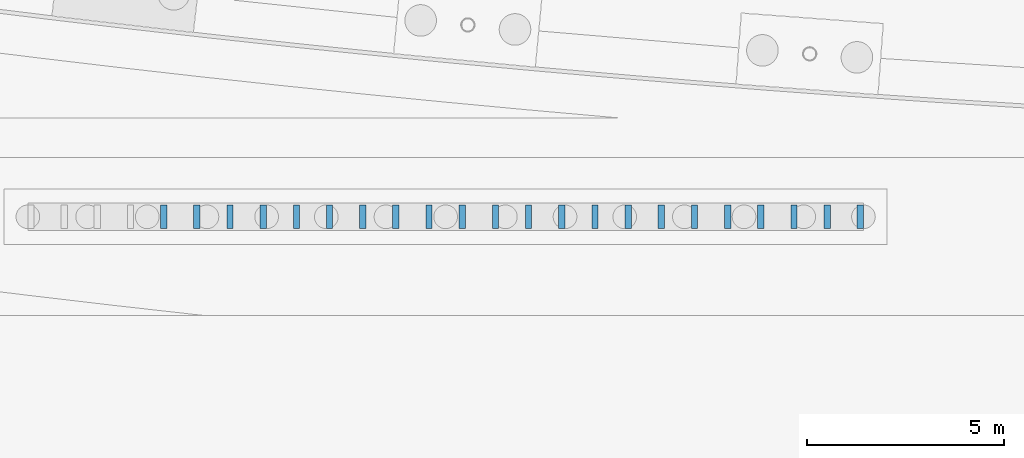
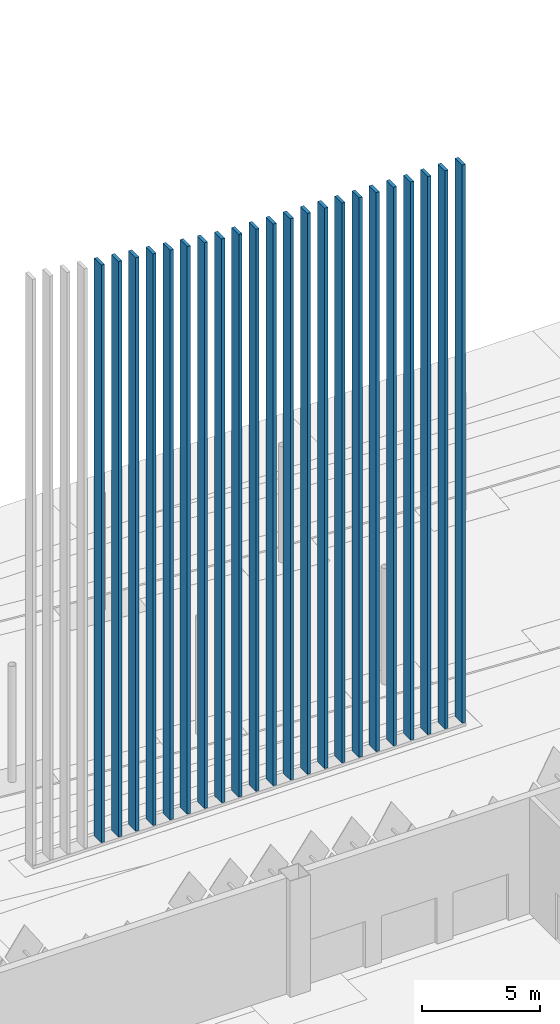
# One storey, part 47 of 198: 22 members.
"""IFC4 building model written with IfcOpenShell, lengths in metres."""

from ifc_helpers import new_model, si_unit, direction, frame, origin, origin_2d, place, context, subcontext, project, spatial, rectangle, extrude, material, material_profile, profile_set, type_object, element, save


model = new_model("IFC4")

# Units and contexts
model_context = context("Model", 3, precision=1e-05, world=origin(), true_north=direction((0.0, 1.0)))
body_context = subcontext(model_context, "Body", "Model", "MODEL_VIEW")
ifc_project = project(units=[si_unit("LENGTHUNIT", "METRE"), si_unit("AREAUNIT", "SQUARE_METRE"), si_unit("VOLUMEUNIT", "CUBIC_METRE"), si_unit("PLANEANGLEUNIT", "RADIAN"), si_unit("MASSUNIT", "GRAM", prefix="KILO")], contexts=[model_context])

# Site, building, storey
site_placement = place(None, origin())
site = spatial("IfcSite", under=ifc_project, at=site_placement, CompositionType="ELEMENT")
building_placement = place(site_placement, origin())
building = spatial("IfcBuilding", under=site, at=building_placement, Name="Opaline Strait Convention Centre", CompositionType="ELEMENT")
storey_placement = place(building_placement, origin())
storey = spatial("IfcBuildingStorey", under=building, at=storey_placement, Name="L00", CompositionType="ELEMENT", Elevation=0.0)

# Members
ifc_material = material(Name="Steel Q355B", Category="steel")
ifc_material_profile = material_profile(ifc_material, rectangle(XDim=0.159912109375, YDim=0.60009765625, at=origin_2d()), Name="BAR 160x600")
ifc_profile_set = profile_set([ifc_material_profile], Name="Steel Q355B")
member_type = type_object("IfcMemberType", Name="Entrance blade 160x600 steel", PredefinedType="USERDEFINED", material=ifc_profile_set)
member_1_placement = place(storey_placement, frame((133.260009765625, 166.5, 0.14990234375), z_axis=(0.0, 0.0, 1.0), x_axis=(1.0, 0.0, 0.0)))
element("IfcMember", 1, at=member_1_placement, inside=storey, type_object=member_type, Name="Entrance blade W05", ObjectType="BLADE", PredefinedType="USERDEFINED", context=body_context, shape_type="SweptSolid", body=[
    extrude(rectangle(XDim=0.159912109375, YDim=0.60009765625, at=origin_2d()), origin(), (0.0, 0.0, 1.0), 29.8564453125),
])
member_2_placement = place(storey_placement, frame((134.10009765625, 166.5, 0.14990234375), z_axis=(0.0, 0.0, 1.0), x_axis=(1.0, 0.0, 0.0)))
element("IfcMember", 2, at=member_2_placement, inside=storey, type_object=member_type, Name="Entrance blade W06", ObjectType="BLADE", PredefinedType="USERDEFINED", context=body_context, shape_type="SweptSolid", body=[
    extrude(rectangle(XDim=0.159912109375, YDim=0.60009765625, at=origin_2d()), origin(), (0.0, 0.0, 1.0), 29.755126953125),
])
member_3_placement = place(storey_placement, frame((134.93994140625, 166.5, 0.14990234375), z_axis=(0.0, 0.0, 1.0), x_axis=(1.0, 0.0, 0.0)))
element("IfcMember", 3, at=member_3_placement, inside=storey, type_object=member_type, Name="Entrance blade W07", ObjectType="BLADE", PredefinedType="USERDEFINED", context=body_context, shape_type="SweptSolid", body=[
    extrude(rectangle(XDim=0.159912109375, YDim=0.60009765625, at=origin_2d()), origin(), (0.0, 0.0, 1.0), 29.653564453125),
])
member_4_placement = place(storey_placement, frame((135.780029296875, 166.5, 0.14990234375), z_axis=(0.0, 0.0, 1.0), x_axis=(1.0, 0.0, 0.0)))
element("IfcMember", 4, at=member_4_placement, inside=storey, type_object=member_type, Name="Entrance blade W08", ObjectType="BLADE", PredefinedType="USERDEFINED", context=body_context, shape_type="SweptSolid", body=[
    extrude(rectangle(XDim=0.159912109375, YDim=0.60009765625, at=origin_2d()), origin(), (0.0, 0.0, 1.0), 29.55224609375),
])
member_5_placement = place(storey_placement, frame((136.6201171875, 166.5, 0.14990234375), z_axis=(0.0, 0.0, 1.0), x_axis=(1.0, 0.0, 0.0)))
element("IfcMember", 5, at=member_5_placement, inside=storey, type_object=member_type, Name="Entrance blade W09", ObjectType="BLADE", PredefinedType="USERDEFINED", context=body_context, shape_type="SweptSolid", body=[
    extrude(rectangle(XDim=0.159912109375, YDim=0.60009765625, at=origin_2d()), origin(), (0.0, 0.0, 1.0), 29.45068359375),
])
member_6_placement = place(storey_placement, frame((137.4599609375, 166.5, 0.14990234375), z_axis=(0.0, 0.0, 1.0), x_axis=(1.0, 0.0, 0.0)))
element("IfcMember", 6, at=member_6_placement, inside=storey, type_object=member_type, Name="Entrance blade W10", ObjectType="BLADE", PredefinedType="USERDEFINED", context=body_context, shape_type="SweptSolid", body=[
    extrude(rectangle(XDim=0.159912109375, YDim=0.60009765625, at=origin_2d()), origin(), (0.0, 0.0, 1.0), 29.34912109375),
])
member_7_placement = place(storey_placement, frame((138.300048828125, 166.5, 0.14990234375), z_axis=(0.0, 0.0, 1.0), x_axis=(1.0, 0.0, 0.0)))
element("IfcMember", 7, at=member_7_placement, inside=storey, type_object=member_type, Name="Entrance blade W11", ObjectType="BLADE", PredefinedType="USERDEFINED", context=body_context, shape_type="SweptSolid", body=[
    extrude(rectangle(XDim=0.159912109375, YDim=0.60009765625, at=origin_2d()), origin(), (0.0, 0.0, 1.0), 29.247802734375),
])
member_8_placement = place(storey_placement, frame((139.139892578125, 166.5, 0.14990234375), z_axis=(0.0, 0.0, 1.0), x_axis=(1.0, 0.0, 0.0)))
element("IfcMember", 8, at=member_8_placement, inside=storey, type_object=member_type, Name="Entrance blade W12", ObjectType="BLADE", PredefinedType="USERDEFINED", context=body_context, shape_type="SweptSolid", body=[
    extrude(rectangle(XDim=0.159912109375, YDim=0.60009765625, at=origin_2d()), origin(), (0.0, 0.0, 1.0), 29.146240234375),
])
member_9_placement = place(storey_placement, frame((139.97998046875, 166.5, 0.14990234375), z_axis=(0.0, 0.0, 1.0), x_axis=(1.0, 0.0, 0.0)))
element("IfcMember", 9, at=member_9_placement, inside=storey, type_object=member_type, Name="Entrance blade W13", ObjectType="BLADE", PredefinedType="USERDEFINED", context=body_context, shape_type="SweptSolid", body=[
    extrude(rectangle(XDim=0.159912109375, YDim=0.60009765625, at=origin_2d()), origin(), (0.0, 0.0, 1.0), 29.08935546875),
])
member_10_placement = place(storey_placement, frame((140.820068359375, 166.5, 0.14990234375), z_axis=(0.0, 0.0, 1.0), x_axis=(1.0, 0.0, 0.0)))
element("IfcMember", 10, at=member_10_placement, inside=storey, type_object=member_type, Name="Entrance blade W14", ObjectType="BLADE", PredefinedType="USERDEFINED", context=body_context, shape_type="SweptSolid", body=[
    extrude(rectangle(XDim=0.159912109375, YDim=0.60009765625, at=origin_2d()), origin(), (0.0, 0.0, 1.0), 29.065673828125),
])
member_11_placement = place(storey_placement, frame((141.659912109375, 166.5, 0.14990234375), z_axis=(0.0, 0.0, 1.0), x_axis=(1.0, 0.0, 0.0)))
element("IfcMember", 11, at=member_11_placement, inside=storey, type_object=member_type, Name="Entrance blade W15", ObjectType="BLADE", PredefinedType="USERDEFINED", context=body_context, shape_type="SweptSolid", body=[
    extrude(rectangle(XDim=0.159912109375, YDim=0.60009765625, at=origin_2d()), origin(), (0.0, 0.0, 1.0), 29.042236328125),
])
member_12_placement = place(storey_placement, frame((142.5, 166.5, 0.14990234375), z_axis=(0.0, 0.0, 1.0), x_axis=(1.0, 0.0, 0.0)))
element("IfcMember", 12, at=member_12_placement, inside=storey, type_object=member_type, Name="Entrance blade W16", ObjectType="BLADE", PredefinedType="USERDEFINED", context=body_context, shape_type="SweptSolid", body=[
    extrude(rectangle(XDim=0.159912109375, YDim=0.60009765625, at=origin_2d()), origin(), (0.0, 0.0, 1.0), 29.0185546875),
])
member_13_placement = place(storey_placement, frame((143.340087890625, 166.5, 0.14990234375), z_axis=(0.0, 0.0, 1.0), x_axis=(1.0, 0.0, 0.0)))
element("IfcMember", 13, at=member_13_placement, inside=storey, type_object=member_type, Name="Entrance blade W17", ObjectType="BLADE", PredefinedType="USERDEFINED", context=body_context, shape_type="SweptSolid", body=[
    extrude(rectangle(XDim=0.159912109375, YDim=0.60009765625, at=origin_2d()), origin(), (0.0, 0.0, 1.0), 28.994873046875),
])
member_14_placement = place(storey_placement, frame((144.179931640625, 166.5, 0.14990234375), z_axis=(0.0, 0.0, 1.0), x_axis=(1.0, 0.0, 0.0)))
element("IfcMember", 14, at=member_14_placement, inside=storey, type_object=member_type, Name="Entrance blade W18", ObjectType="BLADE", PredefinedType="USERDEFINED", context=body_context, shape_type="SweptSolid", body=[
    extrude(rectangle(XDim=0.159912109375, YDim=0.60009765625, at=origin_2d()), origin(), (0.0, 0.0, 1.0), 28.971435546875),
])
member_15_placement = place(storey_placement, frame((145.02001953125, 166.5, 0.14990234375), z_axis=(0.0, 0.0, 1.0), x_axis=(1.0, 0.0, 0.0)))
element("IfcMember", 15, at=member_15_placement, inside=storey, type_object=member_type, Name="Entrance blade W19", ObjectType="BLADE", PredefinedType="USERDEFINED", context=body_context, shape_type="SweptSolid", body=[
    extrude(rectangle(XDim=0.159912109375, YDim=0.60009765625, at=origin_2d()), origin(), (0.0, 0.0, 1.0), 28.94775390625),
])
member_16_placement = place(storey_placement, frame((145.860107421875, 166.5, 0.14990234375), z_axis=(0.0, 0.0, 1.0), x_axis=(1.0, 0.0, 0.0)))
element("IfcMember", 16, at=member_16_placement, inside=storey, type_object=member_type, Name="Entrance blade W20", ObjectType="BLADE", PredefinedType="USERDEFINED", context=body_context, shape_type="SweptSolid", body=[
    extrude(rectangle(XDim=0.159912109375, YDim=0.60009765625, at=origin_2d()), origin(), (0.0, 0.0, 1.0), 28.92431640625),
])
member_17_placement = place(storey_placement, frame((146.699951171875, 166.5, 0.14990234375), z_axis=(0.0, 0.0, 1.0), x_axis=(1.0, 0.0, 0.0)))
element("IfcMember", 17, at=member_17_placement, inside=storey, type_object=member_type, Name="Entrance blade W21", ObjectType="BLADE", PredefinedType="USERDEFINED", context=body_context, shape_type="SweptSolid", body=[
    extrude(rectangle(XDim=0.159912109375, YDim=0.60009765625, at=origin_2d()), origin(), (0.0, 0.0, 1.0), 28.900634765625),
])
member_18_placement = place(storey_placement, frame((147.5400390625, 166.5, 0.14990234375), z_axis=(0.0, 0.0, 1.0), x_axis=(1.0, 0.0, 0.0)))
element("IfcMember", 18, at=member_18_placement, inside=storey, type_object=member_type, Name="Entrance blade W22", ObjectType="BLADE", PredefinedType="USERDEFINED", context=body_context, shape_type="SweptSolid", body=[
    extrude(rectangle(XDim=0.159912109375, YDim=0.60009765625, at=origin_2d()), origin(), (0.0, 0.0, 1.0), 28.876953125),
])
member_19_placement = place(storey_placement, frame((148.3798828125, 166.5, 0.14990234375), z_axis=(0.0, 0.0, 1.0), x_axis=(1.0, 0.0, 0.0)))
element("IfcMember", 19, at=member_19_placement, inside=storey, type_object=member_type, Name="Entrance blade W23", ObjectType="BLADE", PredefinedType="USERDEFINED", context=body_context, shape_type="SweptSolid", body=[
    extrude(rectangle(XDim=0.159912109375, YDim=0.60009765625, at=origin_2d()), origin(), (0.0, 0.0, 1.0), 28.853515625),
])
for number, where, z_axis, x_axis, name in (
    (20, (149.219970703125, 166.5, 0.14990234375), (0.0, 0.0, 1.0), (1.0, 0.0, 0.0), "Entrance blade W24"),
    (21, (150.06005859375, 166.5, 0.14990234375), (0.0, 0.0, 1.0), (1.0, 0.0, 0.0), "Entrance blade W25"),
    (22, (150.89990234375, 166.5, 0.14990234375), (0.0, 0.0, 1.0), (1.0, 0.0, 0.0), "Entrance blade W26"),
):
    element("IfcMember", number, at=place(storey_placement, frame(where, z_axis=z_axis, x_axis=x_axis)), inside=storey, type_object=member_type, Name=name, ObjectType="BLADE", PredefinedType="USERDEFINED", context=body_context, shape_type="SweptSolid", body=[
        extrude(rectangle(XDim=0.159912109375, YDim=0.60009765625, at=origin_2d()), origin(), (0.0, 0.0, 1.0), 28.85009765625),
    ])

save(model, "model.ifc")
